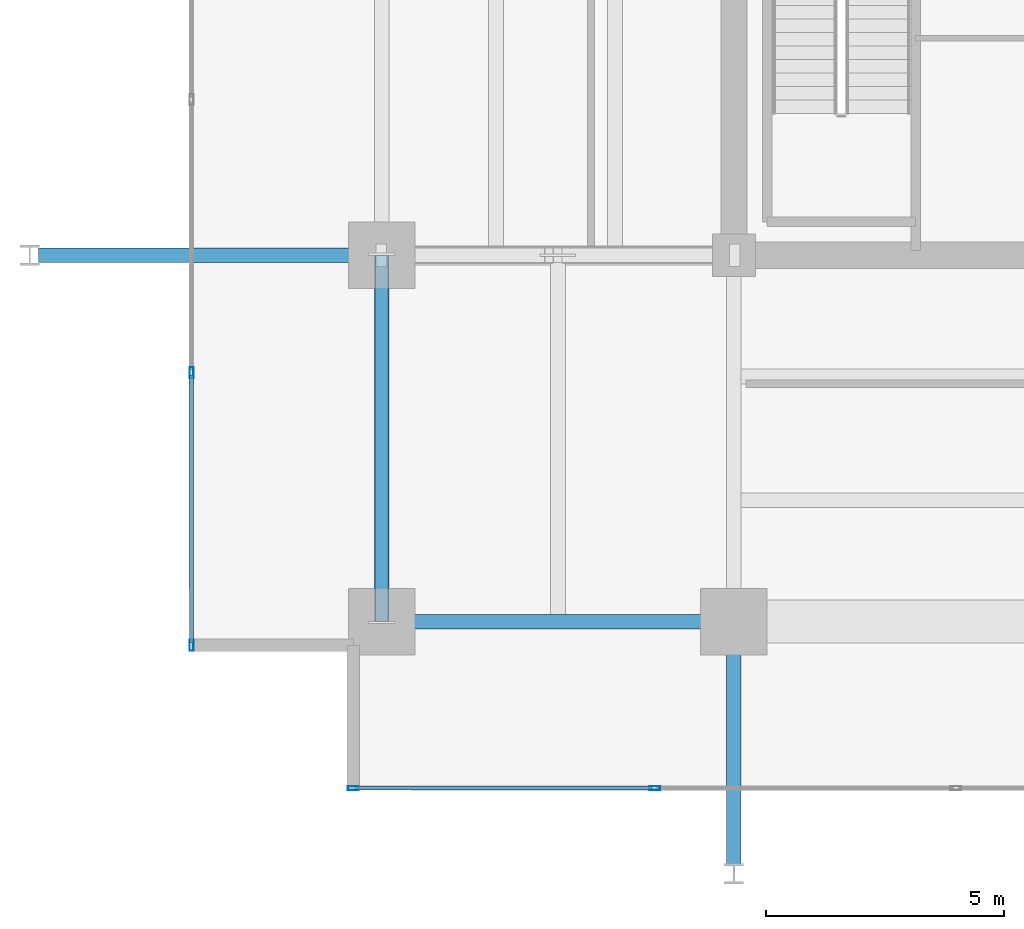
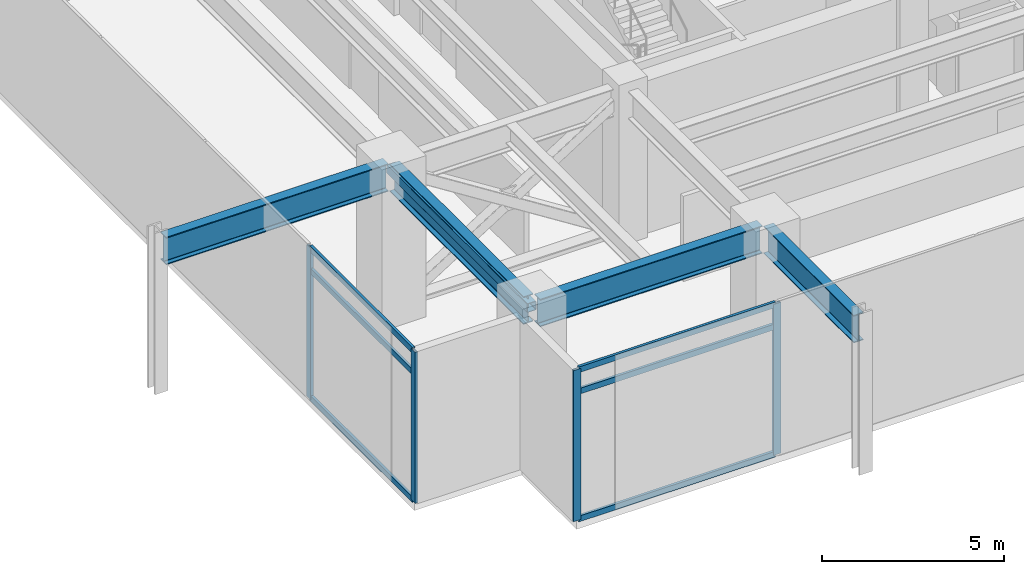
# One storey, part 2 of 21: 11 members, 4 beams, 2 elements without a shape of their own.
"""IFC4 building model written with IfcOpenShell, lengths in metres."""

from ifc_helpers import new_model, si_unit, direction, frame, origin, origin_2d, place, context, subcontext, project, spatial, hollow_rectangle, i_section, extrude, material, material_profile, profile_set, type_object, element, aggregate, save


model = new_model("IFC4")

# Units and contexts
model_context = context("Model", 3, precision=1e-05, world=origin(), true_north=direction((0.0, 1.0)))
body_context = subcontext(model_context, "Body", "Model", "MODEL_VIEW")
ifc_project = project(units=[si_unit("LENGTHUNIT", "METRE"), si_unit("AREAUNIT", "SQUARE_METRE"), si_unit("VOLUMEUNIT", "CUBIC_METRE"), si_unit("PLANEANGLEUNIT", "RADIAN"), si_unit("MASSUNIT", "GRAM", prefix="KILO")], contexts=[model_context])

# Site, building, storey
site_placement = place(None, origin())
site = spatial("IfcSite", under=ifc_project, at=site_placement, CompositionType="ELEMENT")
building_placement = place(site_placement, origin())
building = spatial("IfcBuilding", under=site, at=building_placement, Name="Kovane Verandah Tower", CompositionType="ELEMENT")
storey_placement = place(building_placement, frame((0.0, 0.0, 189.39990234375)))
storey = spatial("IfcBuildingStorey", under=building, at=storey_placement, Name="L44", CompositionType="ELEMENT", Elevation=189.39990234375)

# Beams
ifc_material_1 = material(Name="Steel S460", Category="steel")
ifc_material_profile_1 = material_profile(ifc_material_1, i_section(OverallWidth=0.3076171875, OverallDepth=0.926513671875, WebThickness=0.01953125, FlangeThickness=0.031982421875, FilletRadius=0.01904296875, at=origin_2d()), Name="UB914x305x289")
ifc_profile_set_1 = profile_set([ifc_material_profile_1], Name="Steel S460")
beam_type = type_object("IfcBeamType", Name="BM-UB914x289", PredefinedType="BEAM", material=ifc_profile_set_1)
beam_1_placement = place(storey_placement, frame((21.780029296875, 10.800048828125, 4.63671875), z_axis=(1.0, 0.0, 0.0), x_axis=(0.0, 1.0, 0.0)))
element("IfcBeam", 1, at=beam_1_placement, inside=storey, type_object=beam_type, Name="L44 Primary Tower Girder G-RS1", PredefinedType="BEAM", context=body_context, shape_type="SweptSolid", body=[
    extrude(i_section(OverallWidth=0.3076171875, OverallDepth=0.926513671875, WebThickness=0.01953125, FlangeThickness=0.031982421875, FilletRadius=0.01904296875, at=origin_2d()), origin(), (0.0, 0.0, 1.0), 7.0400390625),
])
beam_2_placement = place(storey_placement, frame((21.60009765625, 10.97998046875, 4.63671875), z_axis=(0.0, 1.0, 0.0), x_axis=(-1.0, 0.0, 0.0)))
element("IfcBeam", 2, at=beam_2_placement, inside=storey, type_object=beam_type, Name="L44 Primary Tower Girder G-RW1", PredefinedType="BEAM", context=body_context, shape_type="SweptSolid", body=[
    extrude(i_section(OverallWidth=0.3076171875, OverallDepth=0.926513671875, WebThickness=0.01953125, FlangeThickness=0.031982421875, FilletRadius=0.01904296875, at=origin_2d()), origin(), (0.0, 0.0, 1.0), 7.340087890625),
])
beam_3_placement = place(storey_placement, frame((21.419921875, 18.5, 4.63671875), z_axis=(-1.0, 0.0, 0.0), x_axis=(0.0, -1.0, 0.0)))
element("IfcBeam", 3, at=beam_3_placement, inside=storey, type_object=beam_type, Name="L44 Primary Tower Girder G-VW1", PredefinedType="BEAM", context=body_context, shape_type="SweptSolid", body=[
    extrude(i_section(OverallWidth=0.3076171875, OverallDepth=0.926513671875, WebThickness=0.01953125, FlangeThickness=0.031982421875, FilletRadius=0.01904296875, at=origin_2d()), origin(), (0.0, 0.0, 1.0), 7.0400390625),
])
beam_4_placement = place(storey_placement, frame((29.0, 10.6201171875, 4.63671875), z_axis=(0.0, -1.0, 0.0), x_axis=(1.0, 0.0, 0.0)))
element("IfcBeam", 4, at=beam_4_placement, inside=storey, type_object=beam_type, Name="L44 Primary Tower Girder G-VS1", PredefinedType="BEAM", context=body_context, shape_type="SweptSolid", body=[
    extrude(i_section(OverallWidth=0.3076171875, OverallDepth=0.926513671875, WebThickness=0.01953125, FlangeThickness=0.031982421875, FilletRadius=0.01904296875, at=origin_2d()), origin(), (0.0, 0.0, 1.0), 4.940185546875),
])

# Curtain wall, members
ifc_material_2 = material(Name="Champagne Anodised Aluminium Frame with Low-E Clear Laminated Glass", Category="aluminium")
curtain_wall_type = type_object("IfcCurtainWallType", Name="CW-SYS-04-WAIST", PredefinedType="NOTDEFINED", material=ifc_material_2)
curtain_wall_1_placement = place(storey_placement, origin())
curtain_wall_1 = element("IfcCurtainWall", 5, at=curtain_wall_1_placement, inside=storey, type_object=curtain_wall_type, Name="L44 S Unitised Curtain Wall", PredefinedType="NOTDEFINED")
ifc_material_3 = material(Name="Champagne Anodised Aluminium 6063-T6", Category="aluminium")
ifc_material_profile_2 = material_profile(ifc_material_3, hollow_rectangle(XDim=0.0849609375, YDim=0.22998046875, WallThickness=0.00390625, at=origin_2d()), Name="AL85x230x4")
ifc_profile_set_2 = profile_set([ifc_material_profile_2], Name="Champagne Anodised Aluminium 6063-T6")
member_type_1 = type_object("IfcMemberType", Name="CW-MUL-85x230", PredefinedType="MULLION", material=ifc_profile_set_2)
member_1_placement = place(storey_placement, frame((21.0, 7.300048828125, 0.02001953125), z_axis=(0.0, 0.0, 1.0), x_axis=(0.0, -1.0, 0.0)))
member_1 = element("IfcMember", 6, at=member_1_placement, type_object=member_type_1, Name="L44 S Unitised Curtain Wall Mullion 1", PredefinedType="MULLION", context=body_context, shape_type="SweptSolid", body=[
    extrude(hollow_rectangle(XDim=0.0849609375, YDim=0.22998046875, WallThickness=0.00390625, at=origin_2d()), origin(), (0.0, 0.0, 1.0), 5.06005859375),
])
member_2_placement = place(storey_placement, frame((27.333251953125, 7.300048828125, 0.02001953125), z_axis=(0.0, 0.0, 1.0), x_axis=(0.0, -1.0, 0.0)))
member_2 = element("IfcMember", 7, at=member_2_placement, type_object=member_type_1, Name="L44 S Unitised Curtain Wall Mullion 2", PredefinedType="MULLION", context=body_context, shape_type="SweptSolid", body=[
    extrude(hollow_rectangle(XDim=0.0849609375, YDim=0.22998046875, WallThickness=0.00390625, at=origin_2d()), origin(), (0.0, 0.0, 1.0), 5.06005859375),
])

curtain_wall_2_placement = place(storey_placement, origin())
curtain_wall_2 = element("IfcCurtainWall", 8, at=curtain_wall_2_placement, inside=storey, type_object=curtain_wall_type, Name="L44 W Unitised Curtain Wall", PredefinedType="NOTDEFINED")
member_3_placement = place(storey_placement, frame((17.60009765625, 16.033203125, 0.02001953125), z_axis=(0.0, 0.0, 1.0), x_axis=(-1.0, 0.0, 0.0)))
member_3 = element("IfcMember", 9, at=member_3_placement, type_object=member_type_1, Name="L44 W Unitised Curtain Wall Mullion 6", PredefinedType="MULLION", context=body_context, shape_type="SweptSolid", body=[
    extrude(hollow_rectangle(XDim=0.0849609375, YDim=0.22998046875, WallThickness=0.00390625, at=origin_2d()), origin(), (0.0, 0.0, 1.0), 5.06005859375),
])
member_4_placement = place(storey_placement, frame((17.60009765625, 10.300048828125, 0.02001953125), z_axis=(0.0, 0.0, 1.0), x_axis=(-1.0, 0.0, 0.0)))
member_4 = element("IfcMember", 10, at=member_4_placement, type_object=member_type_1, Name="L44 W Unitised Curtain Wall Mullion 7", PredefinedType="MULLION", context=body_context, shape_type="SweptSolid", body=[
    extrude(hollow_rectangle(XDim=0.0849609375, YDim=0.22998046875, WallThickness=0.00390625, at=origin_2d()), origin(), (0.0, 0.0, 1.0), 5.06005859375),
])

# Member
ifc_material_profile_3 = material_profile(ifc_material_3, hollow_rectangle(XDim=0.0849609375, YDim=0.18994140625, WallThickness=0.00390625, at=origin_2d()), Name="AL85x190x4")
ifc_profile_set_3 = profile_set([ifc_material_profile_3], Name="Champagne Anodised Aluminium 6063-T6")
member_type_2 = type_object("IfcMemberType", Name="CW-TRN-85x190", PredefinedType="USERDEFINED", material=ifc_profile_set_3)
member_5_placement = place(storey_placement, frame((21.050048828125, 7.300048828125, 0.050048828125), z_axis=(1.0, 0.0, 0.0), x_axis=(0.0, 1.0, 0.0)))
member_5 = element("IfcMember", 11, at=member_5_placement, type_object=member_type_2, Name="L44 S Unitised Curtain Wall Transom TB Bay 1", ObjectType="TRANSOM", PredefinedType="USERDEFINED", context=body_context, shape_type="SweptSolid", body=[
    extrude(hollow_rectangle(XDim=0.0849609375, YDim=0.18994140625, WallThickness=0.00390625, at=origin_2d()), origin(), (0.0, 0.0, 1.0), 6.233154296875),
])

member_6_placement = place(storey_placement, frame((21.050048828125, 7.300048828125, 4.320068359375), z_axis=(1.0, 0.0, 0.0), x_axis=(0.0, 1.0, 0.0)))
member_6 = element("IfcMember", 12, at=member_6_placement, type_object=member_type_2, Name="L44 S Unitised Curtain Wall Transom TM Bay 1", ObjectType="TRANSOM", PredefinedType="USERDEFINED", context=body_context, shape_type="SweptSolid", body=[
    extrude(hollow_rectangle(XDim=0.0849609375, YDim=0.18994140625, WallThickness=0.00390625, at=origin_2d()), origin(), (0.0, 0.0, 1.0), 6.233154296875),
])

member_7_placement = place(storey_placement, frame((21.050048828125, 7.300048828125, 5.050048828125), z_axis=(1.0, 0.0, 0.0), x_axis=(0.0, 1.0, 0.0)))
member_7 = element("IfcMember", 13, at=member_7_placement, type_object=member_type_2, Name="L44 S Unitised Curtain Wall Transom TT Bay 1", ObjectType="TRANSOM", PredefinedType="USERDEFINED", context=body_context, shape_type="SweptSolid", body=[
    extrude(hollow_rectangle(XDim=0.0849609375, YDim=0.18994140625, WallThickness=0.00390625, at=origin_2d()), origin(), (0.0, 0.0, 1.0), 6.233154296875),
])

aggregate(curtain_wall_1, [member_1, member_2, member_5, member_6, member_7])

member_8_placement = place(storey_placement, frame((17.60009765625, 15.9833984375, 0.050048828125), z_axis=(0.0, -1.0, 0.0), x_axis=(1.0, 0.0, 0.0)))
member_8 = element("IfcMember", 14, at=member_8_placement, type_object=member_type_2, Name="L44 W Unitised Curtain Wall Transom TB Bay 6", ObjectType="TRANSOM", PredefinedType="USERDEFINED", context=body_context, shape_type="SweptSolid", body=[
    extrude(hollow_rectangle(XDim=0.0849609375, YDim=0.18994140625, WallThickness=0.00390625, at=origin_2d()), origin(), (0.0, 0.0, 1.0), 5.63330078125),
])

member_9_placement = place(storey_placement, frame((17.60009765625, 15.9833984375, 4.320068359375), z_axis=(0.0, -1.0, 0.0), x_axis=(1.0, 0.0, 0.0)))
member_9 = element("IfcMember", 15, at=member_9_placement, type_object=member_type_2, Name="L44 W Unitised Curtain Wall Transom TM Bay 6", ObjectType="TRANSOM", PredefinedType="USERDEFINED", context=body_context, shape_type="SweptSolid", body=[
    extrude(hollow_rectangle(XDim=0.0849609375, YDim=0.18994140625, WallThickness=0.00390625, at=origin_2d()), origin(), (0.0, 0.0, 1.0), 5.63330078125),
])

member_10_placement = place(storey_placement, frame((17.60009765625, 15.9833984375, 5.050048828125), z_axis=(0.0, -1.0, 0.0), x_axis=(1.0, 0.0, 0.0)))
member_10 = element("IfcMember", 16, at=member_10_placement, type_object=member_type_2, Name="L44 W Unitised Curtain Wall Transom TT Bay 6", ObjectType="TRANSOM", PredefinedType="USERDEFINED", context=body_context, shape_type="SweptSolid", body=[
    extrude(hollow_rectangle(XDim=0.0849609375, YDim=0.18994140625, WallThickness=0.00390625, at=origin_2d()), origin(), (0.0, 0.0, 1.0), 5.63330078125),
])

aggregate(curtain_wall_2, [member_3, member_4, member_8, member_9, member_10])

ifc_material_profile_4 = material_profile(ifc_material_1, hollow_rectangle(XDim=0.300048828125, YDim=0.300048828125, WallThickness=0.01611328125, InnerFilletRadius=0.01611328125, OuterFilletRadius=0.031982421875, at=origin_2d()), Name="SHS300x300x16")
ifc_profile_set_4 = profile_set([ifc_material_profile_4], Name="Steel S460")
member_type_3 = type_object("IfcMemberType", Name="MEM-BR-SHS300", PredefinedType="BRACE", material=ifc_profile_set_4)
member_11_placement = place(storey_placement, frame((21.60009765625, 10.800048828125, 4.820068359375), z_axis=(0.0, 1.0, 0.0), x_axis=(-1.0, 0.0, 0.0)))
element("IfcMember", 17, at=member_11_placement, inside=storey, type_object=member_type_3, Name="L44 Belt-Truss Ring Chord BW1", PredefinedType="BRACE", context=body_context, shape_type="SweptSolid", body=[
    extrude(hollow_rectangle(XDim=0.300048828125, YDim=0.300048828125, WallThickness=0.01611328125, InnerFilletRadius=0.01611328125, OuterFilletRadius=0.031982421875, at=origin_2d()), origin(), (0.0, 0.0, 1.0), 7.699951171875),
])

save(model, "model.ifc")
